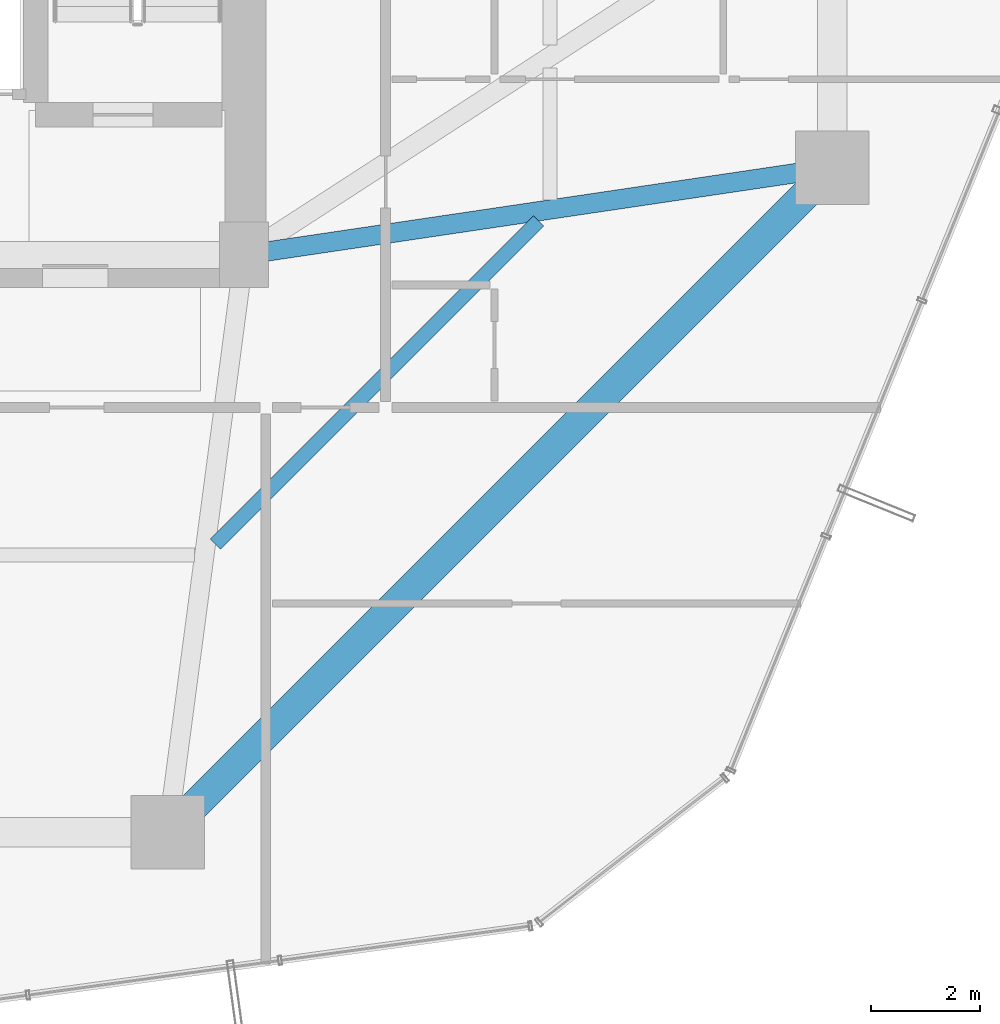
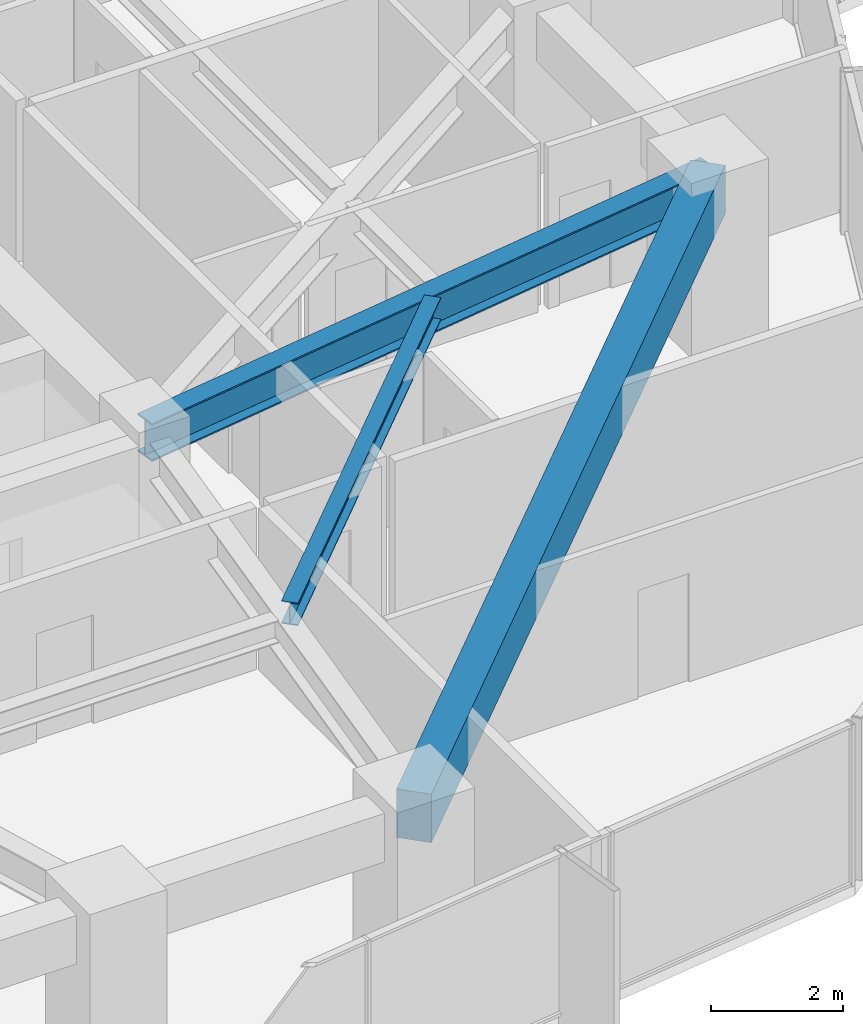
# One storey, part 15 of 37: 3 beams.
"""IFC4 building model written with IfcOpenShell, lengths in metres."""

from ifc_helpers import new_model, si_unit, direction, frame, origin, origin_2d, place, context, subcontext, project, spatial, rectangle, i_section, extrude, material, material_profile, profile_set, type_object, element, save


model = new_model("IFC4")

# Units and contexts
model_context = context("Model", 3, precision=1e-05, world=origin(), true_north=direction((0.0, 1.0)))
body_context = subcontext(model_context, "Body", "Model", "MODEL_VIEW")
ifc_project = project(units=[si_unit("LENGTHUNIT", "METRE"), si_unit("AREAUNIT", "SQUARE_METRE"), si_unit("VOLUMEUNIT", "CUBIC_METRE"), si_unit("PLANEANGLEUNIT", "RADIAN"), si_unit("MASSUNIT", "GRAM", prefix="KILO")], contexts=[model_context])

# Site, building, storey
site_placement = place(None, origin())
site = spatial("IfcSite", under=ifc_project, at=site_placement, CompositionType="ELEMENT")
building_placement = place(site_placement, origin())
building = spatial("IfcBuilding", under=site, at=building_placement, Name="Veraguas Prism Commons", CompositionType="ELEMENT")
storey_placement = place(building_placement, frame((0.0, 0.0, 50.050048828125)))
storey = spatial("IfcBuildingStorey", under=building, at=storey_placement, Name="L13", CompositionType="ELEMENT", Elevation=50.050048828125)

# Beams
ifc_material_1 = material(Name="Steel ASTM A992 Grade 50", Category="steel")
ifc_material_profile_1 = material_profile(ifc_material_1, i_section(OverallWidth=0.260986328125, OverallDepth=0.419921875, WebThickness=0.01171875, FlangeThickness=0.019287109375, at=origin_2d()), Name="W410X114")
ifc_profile_set_1 = profile_set([ifc_material_profile_1], Name="Steel ASTM A992 Grade 50")
beam_type_1 = type_object("IfcBeamType", Name="Lower Floor Joist W410x114", PredefinedType="JOIST", material=ifc_profile_set_1)
beam_1_placement = place(storey_placement, frame((30.276611328125, 11.6923828125, 2.7900390625), z_axis=(0.707092226423, 0.70712133565, 0.0), x_axis=(-0.70712133565, 0.707092226423, 0.0)))
element("IfcBeam", 1, at=beam_1_placement, inside=storey, type_object=beam_type_1, Name="Composite Floor Joist L13-JS12", PredefinedType="JOIST", context=body_context, shape_type="SweptSolid", body=[
    extrude(i_section(OverallWidth=0.260986328125, OverallDepth=0.419921875, WebThickness=0.01171875, FlangeThickness=0.019287109375, at=origin_2d()), origin(), (0.0, 0.0, 1.0), 8.386962890625),
])
ifc_material_2 = material(Name="Concrete C50/60", Category="concrete")
ifc_material_profile_2 = material_profile(ifc_material_2, rectangle(XDim=0.550048828125, YDim=0.89990234375, at=origin_2d()), Name="RC550X900")
ifc_profile_set_2 = profile_set([ifc_material_profile_2], Name="Concrete C50/60")
beam_type_2 = type_object("IfcBeamType", Name="Perimeter Spandrel Lower RC 550x900", PredefinedType="SPANDREL", material=ifc_profile_set_2)
beam_2_placement = place(storey_placement, frame((29.39990234375, 6.39990234375, 2.550048828125), z_axis=(0.707106781187, 0.707106781187, 0.0), x_axis=(-0.707106781187, 0.707106781187, 0.0)))
element("IfcBeam", 2, at=beam_2_placement, inside=storey, type_object=beam_type_2, Name="Perimeter Spandrel Beam L13-SP12", PredefinedType="SPANDREL", context=body_context, shape_type="SweptSolid", body=[
    extrude(rectangle(XDim=0.550048828125, YDim=0.89990234375, at=origin_2d()), origin(), (0.0, 0.0, 1.0), 17.253662109375),
])
ifc_material_profile_3 = material_profile(ifc_material_1, i_section(OverallWidth=0.35595703125, OverallDepth=0.700927734375, WebThickness=0.016845703125, FlangeThickness=0.02734375, at=origin_2d()), Name="W690X240")
ifc_profile_set_3 = profile_set([ifc_material_profile_3], Name="Steel ASTM A992 Grade 50")
beam_type_3 = type_object("IfcBeamType", Name="Zone 1 Radial Girder W690x240", PredefinedType="BEAM", material=ifc_profile_set_3)
beam_3_placement = place(storey_placement, frame((41.60009765625, 18.60009765625, 2.6494140625), z_axis=(-0.989202261707, -0.146556765224, 0.0), x_axis=(0.146556765224, -0.989202261707, 0.0)))
element("IfcBeam", 3, at=beam_3_placement, inside=storey, type_object=beam_type_3, Name="Radial Floor Girder L13-RD01", PredefinedType="BEAM", context=body_context, shape_type="SweptSolid", body=[
    extrude(i_section(OverallWidth=0.35595703125, OverallDepth=0.700927734375, WebThickness=0.016845703125, FlangeThickness=0.02734375, at=origin_2d()), origin(), (0.0, 0.0, 1.0), 10.91796875),
])

save(model, "model.ifc")
